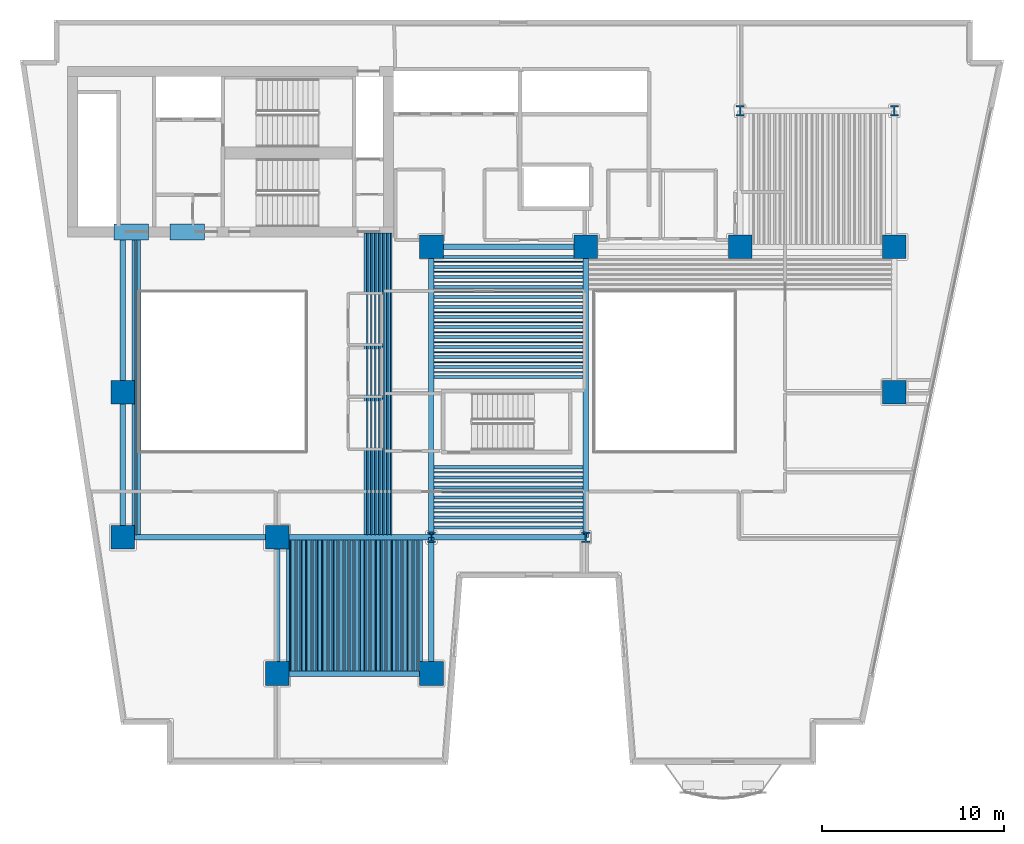
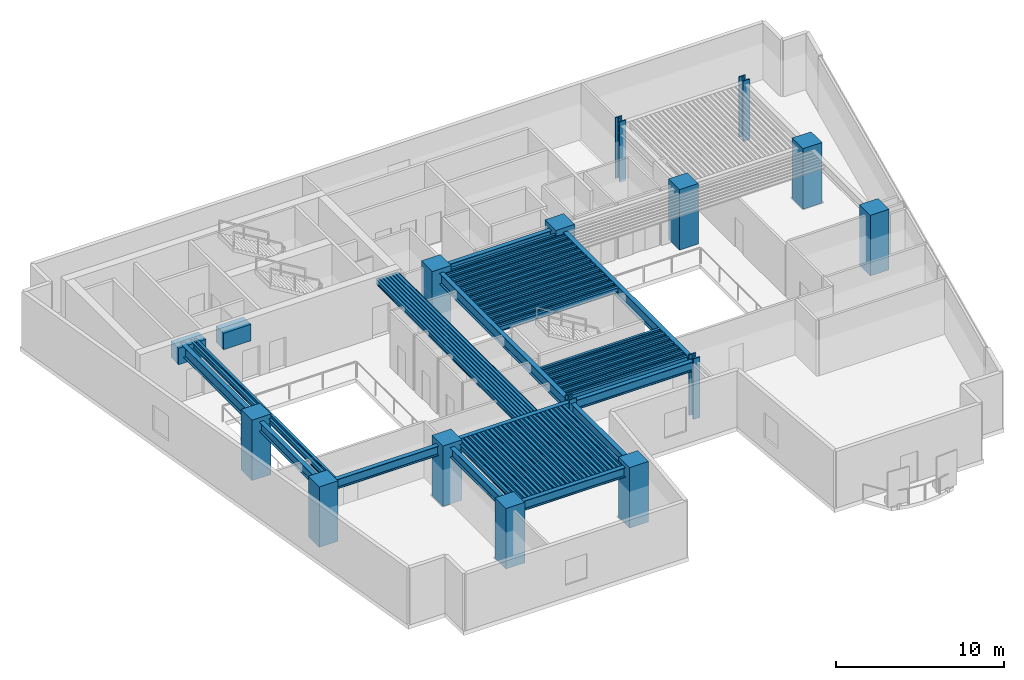
# One storey, part 1 of 12: 119 beams, 14 columns.
"""IFC4 building model written with IfcOpenShell, lengths in metres."""

from ifc_helpers import new_model, si_unit, direction, frame, origin, origin_2d, place, context, subcontext, project, spatial, rectangle, hollow_rectangle, i_section, extrude, material, material_profile, profile_set, type_object, element, save


model = new_model("IFC4")

# Units and contexts
model_context = context("Model", 3, precision=1e-05, world=origin(), true_north=direction((0.0, 1.0)))
body_context = subcontext(model_context, "Body", "Model", "MODEL_VIEW")
ifc_project = project(units=[si_unit("LENGTHUNIT", "METRE"), si_unit("AREAUNIT", "SQUARE_METRE"), si_unit("VOLUMEUNIT", "CUBIC_METRE"), si_unit("PLANEANGLEUNIT", "RADIAN"), si_unit("MASSUNIT", "GRAM", prefix="KILO")], contexts=[model_context])

# Site, building, storey
site_placement = place(None, origin())
site = spatial("IfcSite", under=ifc_project, at=site_placement, CompositionType="ELEMENT")
building_placement = place(site_placement, origin())
building = spatial("IfcBuilding", under=site, at=building_placement, Name="Caeloran Harvest Quay", CompositionType="ELEMENT")
storey_placement = place(building_placement, frame((0.0, 0.0, 31.39990234375)))
storey = spatial("IfcBuildingStorey", under=building, at=storey_placement, Name="L07", CompositionType="ELEMENT", Elevation=31.39990234375)

# Columns
ifc_material_1 = material(Name="Concrete C80/95", Category="concrete")
ifc_material_profile_1 = material_profile(ifc_material_1, rectangle(XDim=1.300048828125, YDim=1.300048828125, at=origin_2d()), Name="RC 1300x1300")
ifc_profile_set_1 = profile_set([ifc_material_profile_1], Name="Concrete C80/95")
column_type_1 = type_object("IfcColumnType", Name="COL-MC-2-RC_1300x1300", PredefinedType="COLUMN", material=ifc_profile_set_1)
for number, where, z_axis, x_axis, name in (
    (1, (8.5, 15.0, 0.0), (0.0, 0.0, 1.0), (1.0, 0.0, 0.0), "L07 Structural Column (8.5, 15.0)"),
    (2, (8.5, 23.0, 0.0), (0.0, 0.0, 1.0), (1.0, 0.0, 0.0), "L07 Structural Column (8.5, 23.0)"),
    (3, (17.0, 7.5, 0.0), (0.0, 0.0, 1.0), (1.0, 0.0, 0.0), "L07 Structural Column (17.0, 7.5)"),
    (4, (17.0, 15.0, 0.0), (0.0, 0.0, 1.0), (1.0, 0.0, 0.0), "L07 Structural Column (17.0, 15.0)"),
    (5, (25.5, 7.5, 0.0), (0.0, 0.0, 1.0), (1.0, 0.0, 0.0), "L07 Structural Column (25.5, 7.5)"),
    (6, (25.5, 31.0, 0.0), (0.0, 0.0, 1.0), (1.0, 0.0, 0.0), "L07 Structural Column (25.5, 31.0)"),
    (7, (34.0, 31.0, 0.0), (0.0, 0.0, 1.0), (1.0, 0.0, 0.0), "L07 Structural Column (34.0, 31.0)"),
    (8, (42.5, 31.0, 0.0), (0.0, 0.0, 1.0), (1.0, 0.0, 0.0), "L07 Structural Column (42.5, 31.0)"),
    (9, (51.0, 23.0, 0.0), (0.0, 0.0, 1.0), (1.0, 0.0, 0.0), "L07 Structural Column (51.0, 23.0)"),
    (10, (51.0, 31.0, 0.0), (0.0, 0.0, 1.0), (1.0, 0.0, 0.0), "L07 Structural Column (51.0, 31.0)"),
):
    element("IfcColumn", number, at=place(storey_placement, frame(where, z_axis=z_axis, x_axis=x_axis)), inside=storey, type_object=column_type_1, Name=name, PredefinedType="COLUMN", context=body_context, shape_type="SweptSolid", body=[
        extrude(rectangle(XDim=1.300048828125, YDim=1.300048828125, at=origin_2d()), origin(), (0.0, 0.0, 1.0), 4.400146484375),
    ])
ifc_material_2 = material(Name="Steel HISTAR 460", Category="steel")
ifc_material_profile_2 = material_profile(ifc_material_2, i_section(OverallWidth=0.4541015625, OverallDepth=0.569091796875, WebThickness=0.077880859375, FlangeThickness=0.080078125, FilletRadius=0.014892578125, at=origin_2d()), Name="HD 400x1086")
ifc_profile_set_2 = profile_set([ifc_material_profile_2], Name="Steel HISTAR 460")
column_type_2 = type_object("IfcColumnType", Name="COL-SC-1-HD_400x1086", PredefinedType="COLUMN", material=ifc_profile_set_2)
for number, where, z_axis, x_axis, name in (
    (11, (25.5, 15.0, 0.0), (0.0, 0.0, 1.0), (1.0, 0.0, 0.0), "L07 Structural Column (25.5, 15.0)"),
    (12, (34.0, 15.0, 0.0), (0.0, 0.0, 1.0), (1.0, 0.0, 0.0), "L07 Structural Column (34.0, 15.0)"),
    (13, (42.5, 38.5, 0.0), (0.0, 0.0, 1.0), (1.0, 0.0, 0.0), "L07 Structural Column (42.5, 38.5)"),
    (14, (51.0, 38.5, 0.0), (0.0, 0.0, 1.0), (1.0, 0.0, 0.0), "L07 Structural Column (51.0, 38.5)"),
):
    element("IfcColumn", number, at=place(storey_placement, frame(where, z_axis=z_axis, x_axis=x_axis)), inside=storey, type_object=column_type_2, Name=name, PredefinedType="COLUMN", context=body_context, shape_type="SweptSolid", body=[
        extrude(i_section(OverallWidth=0.4541015625, OverallDepth=0.569091796875, WebThickness=0.077880859375, FlangeThickness=0.080078125, FilletRadius=0.014892578125, at=origin_2d()), origin(), (0.0, 0.0, 1.0), 4.400146484375),
    ])

# Beams
ifc_material_profile_3 = material_profile(ifc_material_1, rectangle(XDim=0.89990234375, YDim=1.199951171875, at=origin_2d()), Name="RC 900x1200")
ifc_profile_set_3 = profile_set([ifc_material_profile_3], Name="Concrete C80/95")
beam_type_1 = type_object("IfcBeamType", Name="BM-CB-1-RC_900x1200", PredefinedType="LINTEL", material=ifc_profile_set_3)
for number, where, z_axis, x_axis, name in (
    (15, (8.0, 31.824951171875, 3.5), (1.0, 0.0, 0.0), (0.0, 1.0, 0.0), "L07 Core Coupling Beam 1"),
    (16, (11.10009765625, 31.824951171875, 3.5), (1.0, 0.0, 0.0), (0.0, 1.0, 0.0), "L07 Core Coupling Beam 2"),
):
    element("IfcBeam", number, at=place(storey_placement, frame(where, z_axis=z_axis, x_axis=x_axis)), inside=storey, type_object=beam_type_1, Name=name, PredefinedType="LINTEL", context=body_context, shape_type="SweptSolid", body=[
        extrude(rectangle(XDim=0.89990234375, YDim=1.199951171875, at=origin_2d()), origin(), (0.0, 0.0, 1.0), 1.89990234375),
    ])
ifc_material_3 = material(Name="Steel S355J2", Category="steel")
ifc_material_profile_4 = material_profile(ifc_material_3, i_section(OverallWidth=0.300048828125, OverallDepth=0.800048828125, WebThickness=0.017578125, FlangeThickness=0.032958984375, FilletRadius=0.030029296875, at=origin_2d()), Name="HE 800 B")
ifc_profile_set_4 = profile_set([ifc_material_profile_4], Name="Steel S355J2")
beam_type_2 = type_object("IfcBeamType", Name="BM-PG-1-HE_800_B", PredefinedType="BEAM", material=ifc_profile_set_4)
beam_1_placement = place(storey_placement, frame((8.5, 23.0, 3.7001953125), z_axis=(0.0, 1.0, 0.0), x_axis=(-1.0, 0.0, 0.0)))
element("IfcBeam", 17, at=beam_1_placement, inside=storey, type_object=beam_type_2, Name="L07 Core South Tie Girder X=8.5", PredefinedType="BEAM", context=body_context, shape_type="SweptSolid", body=[
    extrude(i_section(OverallWidth=0.300048828125, OverallDepth=0.800048828125, WebThickness=0.017578125, FlangeThickness=0.032958984375, FilletRadius=0.030029296875, at=origin_2d()), origin(), (0.0, 0.0, 1.0), 8.77490234375),
])
for number, where, z_axis, x_axis, name in (
    (18, (25.5, 15.0, 3.7001953125), (0.0, 1.0, 0.0), (-1.0, 0.0, 0.0), "L07 Primary North-South Girder X=25.5"),
    (19, (34.0, 15.0, 3.7001953125), (0.0, 1.0, 0.0), (-1.0, 0.0, 0.0), "L07 Primary North-South Girder X=34.0"),
):
    element("IfcBeam", number, at=place(storey_placement, frame(where, z_axis=z_axis, x_axis=x_axis)), inside=storey, type_object=beam_type_2, Name=name, PredefinedType="BEAM", context=body_context, shape_type="SweptSolid", body=[
        extrude(i_section(OverallWidth=0.300048828125, OverallDepth=0.800048828125, WebThickness=0.017578125, FlangeThickness=0.032958984375, FilletRadius=0.030029296875, at=origin_2d()), origin(), (0.0, 0.0, 1.0), 16.0),
    ])
ifc_material_profile_5 = material_profile(ifc_material_3, i_section(OverallWidth=0.300048828125, OverallDepth=0.699951171875, WebThickness=0.01708984375, FlangeThickness=0.031982421875, FilletRadius=0.027099609375, at=origin_2d()), Name="HE 700 B")
ifc_profile_set_5 = profile_set([ifc_material_profile_5], Name="Steel S355J2")
beam_type_3 = type_object("IfcBeamType", Name="BM-PG-2-HE_700_B", PredefinedType="BEAM", material=ifc_profile_set_5)
for number, where, z_axis, x_axis, name in (
    (20, (17.0, 7.5, 3.75), (1.0, 0.0, 0.0), (0.0, 1.0, 0.0), "L07 Primary East-West Girder Y=7.5"),
    (21, (8.5, 15.0, 3.75), (1.0, 0.0, 0.0), (0.0, 1.0, 0.0), "L07 Primary East-West Girder Y=15.0"),
    (22, (17.0, 15.0, 3.75), (1.0, 0.0, 0.0), (0.0, 1.0, 0.0), "L07 Primary East-West Girder Y=15.0"),
    (23, (25.5, 15.0, 3.75), (1.0, 0.0, 0.0), (0.0, 1.0, 0.0), "L07 Primary East-West Girder Y=15.0"),
    (24, (25.5, 31.0, 3.75), (1.0, 0.0, 0.0), (0.0, 1.0, 0.0), "L07 Primary East-West Girder Y=31.0"),
):
    element("IfcBeam", number, at=place(storey_placement, frame(where, z_axis=z_axis, x_axis=x_axis)), inside=storey, type_object=beam_type_3, Name=name, PredefinedType="BEAM", context=body_context, shape_type="SweptSolid", body=[
        extrude(i_section(OverallWidth=0.300048828125, OverallDepth=0.699951171875, WebThickness=0.01708984375, FlangeThickness=0.031982421875, FilletRadius=0.027099609375, at=origin_2d()), origin(), (0.0, 0.0, 1.0), 8.5),
    ])
beam_2_placement = place(storey_placement, frame((8.5, 15.0, 3.75), z_axis=(0.0, 1.0, 0.0), x_axis=(-1.0, 0.0, 0.0)))
element("IfcBeam", 25, at=beam_2_placement, inside=storey, type_object=beam_type_3, Name="L07 Primary North-South Girder X=8.5", PredefinedType="BEAM", context=body_context, shape_type="SweptSolid", body=[
    extrude(i_section(OverallWidth=0.300048828125, OverallDepth=0.699951171875, WebThickness=0.01708984375, FlangeThickness=0.031982421875, FilletRadius=0.027099609375, at=origin_2d()), origin(), (0.0, 0.0, 1.0), 8.0),
])
for number, where, z_axis, x_axis, name in (
    (26, (17.0, 7.5, 3.75), (0.0, 1.0, 0.0), (-1.0, 0.0, 0.0), "L07 Primary North-South Girder X=17.0"),
    (27, (25.5, 7.5, 3.75), (0.0, 1.0, 0.0), (-1.0, 0.0, 0.0), "L07 Primary North-South Girder X=25.5"),
):
    element("IfcBeam", number, at=place(storey_placement, frame(where, z_axis=z_axis, x_axis=x_axis)), inside=storey, type_object=beam_type_3, Name=name, PredefinedType="BEAM", context=body_context, shape_type="SweptSolid", body=[
        extrude(i_section(OverallWidth=0.300048828125, OverallDepth=0.699951171875, WebThickness=0.01708984375, FlangeThickness=0.031982421875, FilletRadius=0.027099609375, at=origin_2d()), origin(), (0.0, 0.0, 1.0), 7.5),
    ])
ifc_material_profile_6 = material_profile(ifc_material_3, i_section(OverallWidth=0.169921875, OverallDepth=0.360107421875, WebThickness=0.008056640625, FlangeThickness=0.0126953125, FilletRadius=0.01806640625, at=origin_2d()), Name="IPE 360")
ifc_profile_set_6 = profile_set([ifc_material_profile_6], Name="Steel S355J2")
beam_type_4 = type_object("IfcBeamType", Name="BM-SB-5-IPE_360", PredefinedType="JOIST", material=ifc_profile_set_6)
for number, where, z_axis, x_axis, name in (
    (28, (17.586181640625, 7.64501953125, 3.920166015625), (0.0, 1.0, 0.0), (-1.0, 0.0, 0.0), "L07 Secondary Composite Joist"),
    (29, (17.87939453125, 7.64501953125, 3.920166015625), (0.0, 1.0, 0.0), (-1.0, 0.0, 0.0), "L07 Secondary Composite Joist"),
    (30, (18.17236328125, 7.64501953125, 3.920166015625), (0.0, 1.0, 0.0), (-1.0, 0.0, 0.0), "L07 Secondary Composite Joist"),
    (31, (18.465576171875, 7.64501953125, 3.920166015625), (0.0, 1.0, 0.0), (-1.0, 0.0, 0.0), "L07 Secondary Composite Joist"),
    (32, (18.758544921875, 7.64501953125, 3.920166015625), (0.0, 1.0, 0.0), (-1.0, 0.0, 0.0), "L07 Secondary Composite Joist"),
    (33, (19.0517578125, 7.64501953125, 3.920166015625), (0.0, 1.0, 0.0), (-1.0, 0.0, 0.0), "L07 Secondary Composite Joist"),
    (34, (19.3447265625, 7.64501953125, 3.920166015625), (0.0, 1.0, 0.0), (-1.0, 0.0, 0.0), "L07 Secondary Composite Joist"),
    (35, (19.637939453125, 7.64501953125, 3.920166015625), (0.0, 1.0, 0.0), (-1.0, 0.0, 0.0), "L07 Secondary Composite Joist"),
    (36, (19.930908203125, 7.64501953125, 3.920166015625), (0.0, 1.0, 0.0), (-1.0, 0.0, 0.0), "L07 Secondary Composite Joist"),
    (37, (20.22412109375, 7.64501953125, 3.920166015625), (0.0, 1.0, 0.0), (-1.0, 0.0, 0.0), "L07 Secondary Composite Joist"),
    (38, (20.51708984375, 7.64501953125, 3.920166015625), (0.0, 1.0, 0.0), (-1.0, 0.0, 0.0), "L07 Secondary Composite Joist"),
    (39, (20.810302734375, 7.64501953125, 3.920166015625), (0.0, 1.0, 0.0), (-1.0, 0.0, 0.0), "L07 Secondary Composite Joist"),
    (40, (21.103515625, 7.64501953125, 3.920166015625), (0.0, 1.0, 0.0), (-1.0, 0.0, 0.0), "L07 Secondary Composite Joist"),
    (41, (21.396484375, 7.64501953125, 3.920166015625), (0.0, 1.0, 0.0), (-1.0, 0.0, 0.0), "L07 Secondary Composite Joist"),
    (42, (21.689697265625, 7.64501953125, 3.920166015625), (0.0, 1.0, 0.0), (-1.0, 0.0, 0.0), "L07 Secondary Composite Joist"),
    (43, (21.98291015625, 7.64501953125, 3.920166015625), (0.0, 1.0, 0.0), (-1.0, 0.0, 0.0), "L07 Secondary Composite Joist"),
    (44, (22.27587890625, 7.64501953125, 3.920166015625), (0.0, 1.0, 0.0), (-1.0, 0.0, 0.0), "L07 Secondary Composite Joist"),
    (45, (22.569091796875, 7.64501953125, 3.920166015625), (0.0, 1.0, 0.0), (-1.0, 0.0, 0.0), "L07 Secondary Composite Joist"),
    (46, (22.862060546875, 7.64501953125, 3.920166015625), (0.0, 1.0, 0.0), (-1.0, 0.0, 0.0), "L07 Secondary Composite Joist"),
    (47, (23.1552734375, 7.64501953125, 3.920166015625), (0.0, 1.0, 0.0), (-1.0, 0.0, 0.0), "L07 Secondary Composite Joist"),
    (48, (23.4482421875, 7.64501953125, 3.920166015625), (0.0, 1.0, 0.0), (-1.0, 0.0, 0.0), "L07 Secondary Composite Joist"),
    (49, (23.741455078125, 7.64501953125, 3.920166015625), (0.0, 1.0, 0.0), (-1.0, 0.0, 0.0), "L07 Secondary Composite Joist"),
    (50, (24.034423828125, 7.64501953125, 3.920166015625), (0.0, 1.0, 0.0), (-1.0, 0.0, 0.0), "L07 Secondary Composite Joist"),
    (51, (24.32763671875, 7.64501953125, 3.920166015625), (0.0, 1.0, 0.0), (-1.0, 0.0, 0.0), "L07 Secondary Composite Joist"),
    (52, (24.62060546875, 7.64501953125, 3.920166015625), (0.0, 1.0, 0.0), (-1.0, 0.0, 0.0), "L07 Secondary Composite Joist"),
    (53, (24.913818359375, 7.64501953125, 3.920166015625), (0.0, 1.0, 0.0), (-1.0, 0.0, 0.0), "L07 Secondary Composite Joist"),
):
    element("IfcBeam", number, at=place(storey_placement, frame(where, z_axis=z_axis, x_axis=x_axis)), inside=storey, type_object=beam_type_4, Name=name, PredefinedType="JOIST", context=body_context, shape_type="SweptSolid", body=[
        extrude(i_section(OverallWidth=0.169921875, OverallDepth=0.360107421875, WebThickness=0.008056640625, FlangeThickness=0.0126953125, FilletRadius=0.01806640625, at=origin_2d()), origin(), (0.0, 0.0, 1.0), 7.2099609375),
    ])
for number, where, z_axis, x_axis, name in (
    (54, (9.086181640625, 15.14501953125, 3.920166015625), (0.0, 1.0, 0.0), (-1.0, 0.0, 0.0), "L07 Secondary Composite Joist"),
    (55, (9.37939453125, 15.14501953125, 3.920166015625), (0.0, 1.0, 0.0), (-1.0, 0.0, 0.0), "L07 Secondary Composite Joist"),
    (56, (21.855224609375, 15.14501953125, 3.920166015625), (0.0, 1.0, 0.0), (-1.0, 0.0, 0.0), "L07 Secondary Composite Joist"),
    (57, (22.075927734375, 15.14501953125, 3.920166015625), (0.0, 1.0, 0.0), (-1.0, 0.0, 0.0), "L07 Secondary Composite Joist"),
    (58, (22.296630859375, 15.14501953125, 3.920166015625), (0.0, 1.0, 0.0), (-1.0, 0.0, 0.0), "L07 Secondary Composite Joist"),
    (59, (22.51708984375, 15.14501953125, 3.920166015625), (0.0, 1.0, 0.0), (-1.0, 0.0, 0.0), "L07 Secondary Composite Joist"),
    (60, (22.73779296875, 15.14501953125, 3.920166015625), (0.0, 1.0, 0.0), (-1.0, 0.0, 0.0), "L07 Secondary Composite Joist"),
    (61, (22.95849609375, 15.14501953125, 3.920166015625), (0.0, 1.0, 0.0), (-1.0, 0.0, 0.0), "L07 Secondary Composite Joist"),
    (62, (23.17919921875, 15.14501953125, 3.920166015625), (0.0, 1.0, 0.0), (-1.0, 0.0, 0.0), "L07 Secondary Composite Joist"),
):
    element("IfcBeam", number, at=place(storey_placement, frame(where, z_axis=z_axis, x_axis=x_axis)), inside=storey, type_object=beam_type_4, Name=name, PredefinedType="JOIST", context=body_context, shape_type="SweptSolid", body=[
        extrude(i_section(OverallWidth=0.169921875, OverallDepth=0.360107421875, WebThickness=0.008056640625, FlangeThickness=0.0126953125, FilletRadius=0.01806640625, at=origin_2d()), origin(), (0.0, 0.0, 1.0), 16.6298828125),
    ])
for number, where, z_axis, x_axis, name in (
    (63, (25.64501953125, 15.5517578125, 3.920166015625), (1.0, 0.0, 0.0), (0.0, 1.0, 0.0), "L07 Secondary East-West Composite Joist"),
    (64, (25.64501953125, 16.103515625, 3.920166015625), (1.0, 0.0, 0.0), (0.0, 1.0, 0.0), "L07 Secondary East-West Composite Joist"),
    (65, (25.64501953125, 16.6552734375, 3.920166015625), (1.0, 0.0, 0.0), (0.0, 1.0, 0.0), "L07 Secondary East-West Composite Joist"),
    (66, (25.64501953125, 17.206787109375, 3.920166015625), (1.0, 0.0, 0.0), (0.0, 1.0, 0.0), "L07 Secondary East-West Composite Joist"),
    (67, (25.64501953125, 17.758544921875, 3.920166015625), (1.0, 0.0, 0.0), (0.0, 1.0, 0.0), "L07 Secondary East-West Composite Joist"),
    (68, (25.64501953125, 18.310302734375, 3.920166015625), (1.0, 0.0, 0.0), (0.0, 1.0, 0.0), "L07 Secondary East-West Composite Joist"),
    (69, (25.64501953125, 18.862060546875, 3.920166015625), (1.0, 0.0, 0.0), (0.0, 1.0, 0.0), "L07 Secondary East-West Composite Joist"),
    (70, (25.64501953125, 23.82763671875, 3.920166015625), (1.0, 0.0, 0.0), (0.0, 1.0, 0.0), "L07 Secondary East-West Composite Joist"),
    (71, (25.64501953125, 24.37939453125, 3.920166015625), (1.0, 0.0, 0.0), (0.0, 1.0, 0.0), "L07 Secondary East-West Composite Joist"),
    (72, (25.64501953125, 24.930908203125, 3.920166015625), (1.0, 0.0, 0.0), (0.0, 1.0, 0.0), "L07 Secondary East-West Composite Joist"),
    (73, (25.64501953125, 25.48291015625, 3.920166015625), (1.0, 0.0, 0.0), (0.0, 1.0, 0.0), "L07 Secondary East-West Composite Joist"),
    (74, (25.64501953125, 26.034423828125, 3.920166015625), (1.0, 0.0, 0.0), (0.0, 1.0, 0.0), "L07 Secondary East-West Composite Joist"),
    (75, (25.64501953125, 26.586181640625, 3.920166015625), (1.0, 0.0, 0.0), (0.0, 1.0, 0.0), "L07 Secondary East-West Composite Joist"),
    (76, (25.64501953125, 27.137939453125, 3.920166015625), (1.0, 0.0, 0.0), (0.0, 1.0, 0.0), "L07 Secondary East-West Composite Joist"),
    (77, (25.64501953125, 27.689697265625, 3.920166015625), (1.0, 0.0, 0.0), (0.0, 1.0, 0.0), "L07 Secondary East-West Composite Joist"),
    (78, (25.64501953125, 28.241455078125, 3.920166015625), (1.0, 0.0, 0.0), (0.0, 1.0, 0.0), "L07 Secondary East-West Composite Joist"),
    (79, (25.64501953125, 28.793212890625, 3.920166015625), (1.0, 0.0, 0.0), (0.0, 1.0, 0.0), "L07 Secondary East-West Composite Joist"),
    (80, (25.64501953125, 29.3447265625, 3.920166015625), (1.0, 0.0, 0.0), (0.0, 1.0, 0.0), "L07 Secondary East-West Composite Joist"),
    (81, (25.64501953125, 29.896484375, 3.920166015625), (1.0, 0.0, 0.0), (0.0, 1.0, 0.0), "L07 Secondary East-West Composite Joist"),
    (82, (25.64501953125, 30.4482421875, 3.920166015625), (1.0, 0.0, 0.0), (0.0, 1.0, 0.0), "L07 Secondary East-West Composite Joist"),
):
    element("IfcBeam", number, at=place(storey_placement, frame(where, z_axis=z_axis, x_axis=x_axis)), inside=storey, type_object=beam_type_4, Name=name, PredefinedType="JOIST", context=body_context, shape_type="SweptSolid", body=[
        extrude(i_section(OverallWidth=0.169921875, OverallDepth=0.360107421875, WebThickness=0.008056640625, FlangeThickness=0.0126953125, FilletRadius=0.01806640625, at=origin_2d()), origin(), (0.0, 0.0, 1.0), 8.2099609375),
    ])
ifc_material_profile_7 = material_profile(ifc_material_3, hollow_rectangle(XDim=0.080078125, YDim=0.199951171875, WallThickness=0.006103515625, InnerFilletRadius=0.006103515625, OuterFilletRadius=0.009033203125, at=origin_2d()), Name="RHS 200x80x6")
ifc_profile_set_7 = profile_set([ifc_material_profile_7], Name="Steel S355J2")
beam_type_5 = type_object("IfcBeamType", Name="BM-SB-7-RHS_200x80x6", PredefinedType="JOIST", material=ifc_profile_set_7)
for number, where, z_axis, x_axis, name in (
    (83, (17.73291015625, 7.64501953125, 4.0), (0.0, 1.0, 0.0), (-1.0, 0.0, 0.0), "L07 Secondary Composite Joist"),
    (84, (18.02587890625, 7.64501953125, 4.0), (0.0, 1.0, 0.0), (-1.0, 0.0, 0.0), "L07 Secondary Composite Joist"),
    (85, (18.319091796875, 7.64501953125, 4.0), (0.0, 1.0, 0.0), (-1.0, 0.0, 0.0), "L07 Secondary Composite Joist"),
    (86, (18.612060546875, 7.64501953125, 4.0), (0.0, 1.0, 0.0), (-1.0, 0.0, 0.0), "L07 Secondary Composite Joist"),
    (87, (18.9052734375, 7.64501953125, 4.0), (0.0, 1.0, 0.0), (-1.0, 0.0, 0.0), "L07 Secondary Composite Joist"),
    (88, (19.1982421875, 7.64501953125, 4.0), (0.0, 1.0, 0.0), (-1.0, 0.0, 0.0), "L07 Secondary Composite Joist"),
    (89, (19.491455078125, 7.64501953125, 4.0), (0.0, 1.0, 0.0), (-1.0, 0.0, 0.0), "L07 Secondary Composite Joist"),
    (90, (19.784423828125, 7.64501953125, 4.0), (0.0, 1.0, 0.0), (-1.0, 0.0, 0.0), "L07 Secondary Composite Joist"),
    (91, (20.07763671875, 7.64501953125, 4.0), (0.0, 1.0, 0.0), (-1.0, 0.0, 0.0), "L07 Secondary Composite Joist"),
    (92, (20.37060546875, 7.64501953125, 4.0), (0.0, 1.0, 0.0), (-1.0, 0.0, 0.0), "L07 Secondary Composite Joist"),
    (93, (20.663818359375, 7.64501953125, 4.0), (0.0, 1.0, 0.0), (-1.0, 0.0, 0.0), "L07 Secondary Composite Joist"),
    (94, (20.956787109375, 7.64501953125, 4.0), (0.0, 1.0, 0.0), (-1.0, 0.0, 0.0), "L07 Secondary Composite Joist"),
    (95, (21.25, 7.64501953125, 4.0), (0.0, 1.0, 0.0), (-1.0, 0.0, 0.0), "L07 Secondary Composite Joist"),
    (96, (21.543212890625, 7.64501953125, 4.0), (0.0, 1.0, 0.0), (-1.0, 0.0, 0.0), "L07 Secondary Composite Joist"),
    (97, (21.836181640625, 7.64501953125, 4.0), (0.0, 1.0, 0.0), (-1.0, 0.0, 0.0), "L07 Secondary Composite Joist"),
    (98, (22.12939453125, 7.64501953125, 4.0), (0.0, 1.0, 0.0), (-1.0, 0.0, 0.0), "L07 Secondary Composite Joist"),
    (99, (22.42236328125, 7.64501953125, 4.0), (0.0, 1.0, 0.0), (-1.0, 0.0, 0.0), "L07 Secondary Composite Joist"),
    (100, (22.715576171875, 7.64501953125, 4.0), (0.0, 1.0, 0.0), (-1.0, 0.0, 0.0), "L07 Secondary Composite Joist"),
    (101, (23.008544921875, 7.64501953125, 4.0), (0.0, 1.0, 0.0), (-1.0, 0.0, 0.0), "L07 Secondary Composite Joist"),
    (102, (23.3017578125, 7.64501953125, 4.0), (0.0, 1.0, 0.0), (-1.0, 0.0, 0.0), "L07 Secondary Composite Joist"),
    (103, (23.5947265625, 7.64501953125, 4.0), (0.0, 1.0, 0.0), (-1.0, 0.0, 0.0), "L07 Secondary Composite Joist"),
    (104, (23.887939453125, 7.64501953125, 4.0), (0.0, 1.0, 0.0), (-1.0, 0.0, 0.0), "L07 Secondary Composite Joist"),
    (105, (24.180908203125, 7.64501953125, 4.0), (0.0, 1.0, 0.0), (-1.0, 0.0, 0.0), "L07 Secondary Composite Joist"),
    (106, (24.47412109375, 7.64501953125, 4.0), (0.0, 1.0, 0.0), (-1.0, 0.0, 0.0), "L07 Secondary Composite Joist"),
    (107, (24.76708984375, 7.64501953125, 4.0), (0.0, 1.0, 0.0), (-1.0, 0.0, 0.0), "L07 Secondary Composite Joist"),
):
    element("IfcBeam", number, at=place(storey_placement, frame(where, z_axis=z_axis, x_axis=x_axis)), inside=storey, type_object=beam_type_5, Name=name, PredefinedType="JOIST", context=body_context, shape_type="SweptSolid", body=[
        extrude(hollow_rectangle(XDim=0.080078125, YDim=0.199951171875, WallThickness=0.006103515625, InnerFilletRadius=0.006103515625, OuterFilletRadius=0.009033203125, at=origin_2d()), origin(), (0.0, 0.0, 1.0), 7.2099609375),
    ])
for number, where, z_axis, x_axis, name in (
    (108, (9.23291015625, 15.14501953125, 4.0), (0.0, 1.0, 0.0), (-1.0, 0.0, 0.0), "L07 Secondary Composite Joist"),
    (109, (21.965576171875, 15.14501953125, 4.0), (0.0, 1.0, 0.0), (-1.0, 0.0, 0.0), "L07 Secondary Composite Joist"),
    (110, (22.186279296875, 15.14501953125, 4.0), (0.0, 1.0, 0.0), (-1.0, 0.0, 0.0), "L07 Secondary Composite Joist"),
    (111, (22.406982421875, 15.14501953125, 4.0), (0.0, 1.0, 0.0), (-1.0, 0.0, 0.0), "L07 Secondary Composite Joist"),
    (112, (22.627685546875, 15.14501953125, 4.0), (0.0, 1.0, 0.0), (-1.0, 0.0, 0.0), "L07 Secondary Composite Joist"),
    (113, (22.848388671875, 15.14501953125, 4.0), (0.0, 1.0, 0.0), (-1.0, 0.0, 0.0), "L07 Secondary Composite Joist"),
    (114, (23.069091796875, 15.14501953125, 4.0), (0.0, 1.0, 0.0), (-1.0, 0.0, 0.0), "L07 Secondary Composite Joist"),
    (115, (23.289794921875, 15.14501953125, 4.0), (0.0, 1.0, 0.0), (-1.0, 0.0, 0.0), "L07 Secondary Composite Joist"),
):
    element("IfcBeam", number, at=place(storey_placement, frame(where, z_axis=z_axis, x_axis=x_axis)), inside=storey, type_object=beam_type_5, Name=name, PredefinedType="JOIST", context=body_context, shape_type="SweptSolid", body=[
        extrude(hollow_rectangle(XDim=0.080078125, YDim=0.199951171875, WallThickness=0.006103515625, InnerFilletRadius=0.006103515625, OuterFilletRadius=0.009033203125, at=origin_2d()), origin(), (0.0, 0.0, 1.0), 16.6298828125),
    ])
for number, where, z_axis, x_axis, name in (
    (116, (25.64501953125, 15.82763671875, 4.0), (1.0, 0.0, 0.0), (0.0, 1.0, 0.0), "L07 Secondary East-West Composite Joist"),
    (117, (25.64501953125, 16.37939453125, 4.0), (1.0, 0.0, 0.0), (0.0, 1.0, 0.0), "L07 Secondary East-West Composite Joist"),
    (118, (25.64501953125, 16.930908203125, 4.0), (1.0, 0.0, 0.0), (0.0, 1.0, 0.0), "L07 Secondary East-West Composite Joist"),
    (119, (25.64501953125, 17.48291015625, 4.0), (1.0, 0.0, 0.0), (0.0, 1.0, 0.0), "L07 Secondary East-West Composite Joist"),
    (120, (25.64501953125, 18.034423828125, 4.0), (1.0, 0.0, 0.0), (0.0, 1.0, 0.0), "L07 Secondary East-West Composite Joist"),
    (121, (25.64501953125, 18.586181640625, 4.0), (1.0, 0.0, 0.0), (0.0, 1.0, 0.0), "L07 Secondary East-West Composite Joist"),
    (122, (25.64501953125, 24.103515625, 4.0), (1.0, 0.0, 0.0), (0.0, 1.0, 0.0), "L07 Secondary East-West Composite Joist"),
    (123, (25.64501953125, 24.6552734375, 4.0), (1.0, 0.0, 0.0), (0.0, 1.0, 0.0), "L07 Secondary East-West Composite Joist"),
    (124, (25.64501953125, 25.206787109375, 4.0), (1.0, 0.0, 0.0), (0.0, 1.0, 0.0), "L07 Secondary East-West Composite Joist"),
    (125, (25.64501953125, 25.758544921875, 4.0), (1.0, 0.0, 0.0), (0.0, 1.0, 0.0), "L07 Secondary East-West Composite Joist"),
    (126, (25.64501953125, 26.310302734375, 4.0), (1.0, 0.0, 0.0), (0.0, 1.0, 0.0), "L07 Secondary East-West Composite Joist"),
    (127, (25.64501953125, 26.862060546875, 4.0), (1.0, 0.0, 0.0), (0.0, 1.0, 0.0), "L07 Secondary East-West Composite Joist"),
    (128, (25.64501953125, 27.413818359375, 4.0), (1.0, 0.0, 0.0), (0.0, 1.0, 0.0), "L07 Secondary East-West Composite Joist"),
    (129, (25.64501953125, 27.965576171875, 4.0), (1.0, 0.0, 0.0), (0.0, 1.0, 0.0), "L07 Secondary East-West Composite Joist"),
    (130, (25.64501953125, 28.51708984375, 4.0), (1.0, 0.0, 0.0), (0.0, 1.0, 0.0), "L07 Secondary East-West Composite Joist"),
    (131, (25.64501953125, 29.069091796875, 4.0), (1.0, 0.0, 0.0), (0.0, 1.0, 0.0), "L07 Secondary East-West Composite Joist"),
    (132, (25.64501953125, 29.62060546875, 4.0), (1.0, 0.0, 0.0), (0.0, 1.0, 0.0), "L07 Secondary East-West Composite Joist"),
    (133, (25.64501953125, 30.17236328125, 4.0), (1.0, 0.0, 0.0), (0.0, 1.0, 0.0), "L07 Secondary East-West Composite Joist"),
):
    element("IfcBeam", number, at=place(storey_placement, frame(where, z_axis=z_axis, x_axis=x_axis)), inside=storey, type_object=beam_type_5, Name=name, PredefinedType="JOIST", context=body_context, shape_type="SweptSolid", body=[
        extrude(hollow_rectangle(XDim=0.080078125, YDim=0.199951171875, WallThickness=0.006103515625, InnerFilletRadius=0.006103515625, OuterFilletRadius=0.009033203125, at=origin_2d()), origin(), (0.0, 0.0, 1.0), 8.2099609375),
    ])

save(model, "model.ifc")
